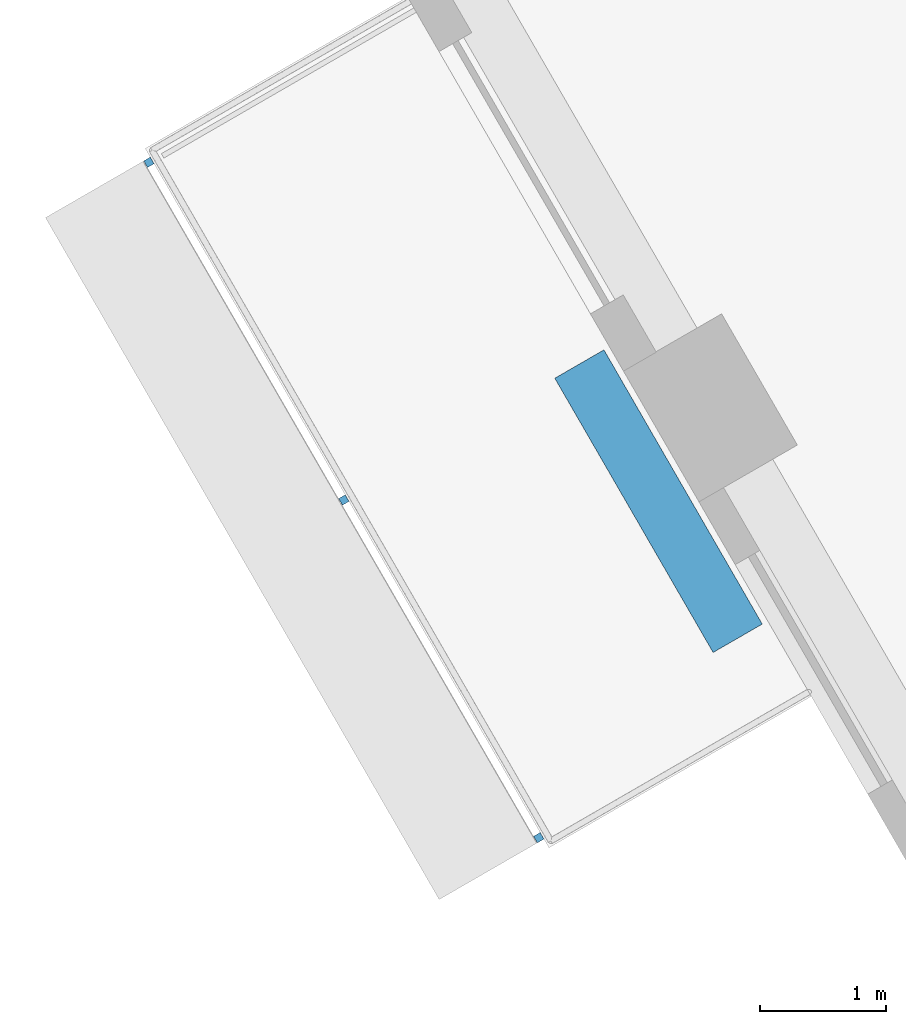
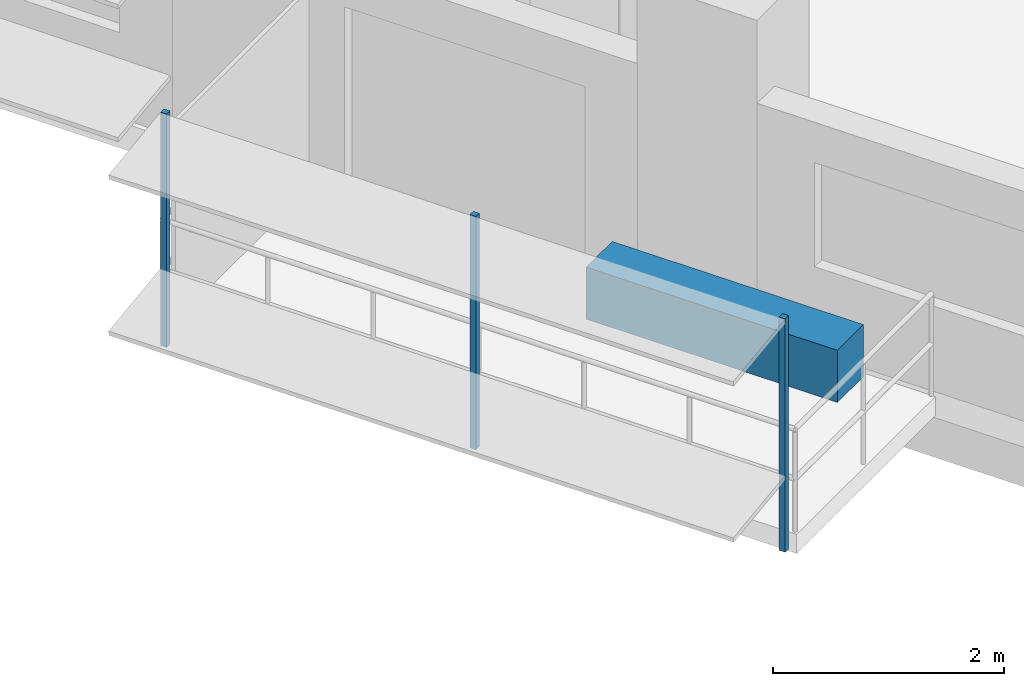
# One storey, part 11 of 16: 4 discrete accessories.
"""IFC4 building model written with IfcOpenShell, lengths in metres."""

from ifc_helpers import new_model, si_unit, direction, frame, origin, origin_2d, place, context, subcontext, project, spatial, rectangle, extrude, material, type_object, element, save


model = new_model("IFC4")

# Units and contexts
model_context = context("Model", 3, precision=1e-05, world=origin(), true_north=direction((0.0, 1.0)))
body_context = subcontext(model_context, "Body", "Model", "MODEL_VIEW")
ifc_project = project(units=[si_unit("LENGTHUNIT", "METRE"), si_unit("AREAUNIT", "SQUARE_METRE"), si_unit("VOLUMEUNIT", "CUBIC_METRE"), si_unit("PLANEANGLEUNIT", "RADIAN"), si_unit("MASSUNIT", "GRAM", prefix="KILO")], contexts=[model_context])

# Site, building, storey
site_placement = place(None, origin())
site = spatial("IfcSite", under=ifc_project, at=site_placement, CompositionType="ELEMENT")
building_placement = place(site_placement, origin())
building = spatial("IfcBuilding", under=site, at=building_placement, Name="Nakaniwa Court", CompositionType="ELEMENT")
storey_placement = place(building_placement, frame((0.0, 0.0, 193.199951171875)))
storey = spatial("IfcBuildingStorey", under=building, at=storey_placement, Name="L50", CompositionType="ELEMENT", Elevation=193.199951171875)

# Discrete accessories
ifc_material_1 = material(Name="Black powder-coated steel bracket S275", Category="steel")
discrete_accessory_type_1 = type_object("IfcDiscreteAccessoryType", Name="Black metal louvre bracket", PredefinedType="BRACKET", material=ifc_material_1)
for number, where, z_axis, x_axis, name in (
    (1, (56.412109375, 70.69580078125, -0.229736328125), (0.0, 0.0, 1.0), (0.499986396443, -0.866033257659, 0.0), "L50 louvre bracket 01 1"),
    (2, (57.956787109375, 68.02001953125, -0.229736328125), (0.0, 0.0, 1.0), (0.499986396443, -0.866033257659, 0.0), "L50 louvre bracket 01 2"),
    (3, (59.50146484375, 65.34423828125, -0.229736328125), (0.0, 0.0, 1.0), (0.499986396443, -0.866033257659, 0.0), "L50 louvre bracket 01 3"),
):
    element("IfcDiscreteAccessory", number, at=place(storey_placement, frame(where, z_axis=z_axis, x_axis=x_axis)), inside=storey, type_object=discrete_accessory_type_1, Name=name, PredefinedType="BRACKET", context=body_context, shape_type="SweptSolid", body=[
        extrude(rectangle(XDim=0.06005859375, YDim=0.06005859375, at=origin_2d()), origin(), (0.0, 0.0, 1.0), 2.46337890625),
    ])
ifc_material_2 = material(Name="Precast concrete C40/50 planter with planted soil", Category="concrete")
discrete_accessory_type_2 = type_object("IfcDiscreteAccessoryType", Name="Planter box charcoal concrete", PredefinedType="USERDEFINED", material=ifc_material_2)
discrete_accessory_placement = place(storey_placement, frame((60.450439453125, 68.0107421875, -0.0498046875), z_axis=(0.0, 0.0, 1.0), x_axis=(0.499986396443, -0.866033257659, 0.0)))
element("IfcDiscreteAccessory", 4, at=discrete_accessory_placement, inside=storey, type_object=discrete_accessory_type_2, Name="L50 balcony PLANTER 01", ObjectType="PLANTER", PredefinedType="USERDEFINED", context=body_context, shape_type="SweptSolid", body=[
    extrude(rectangle(XDim=2.509521484375, YDim=0.449951171875, at=origin_2d()), origin(), (0.0, 0.0, 1.0), 0.550048828125),
])

save(model, "model.ifc")
